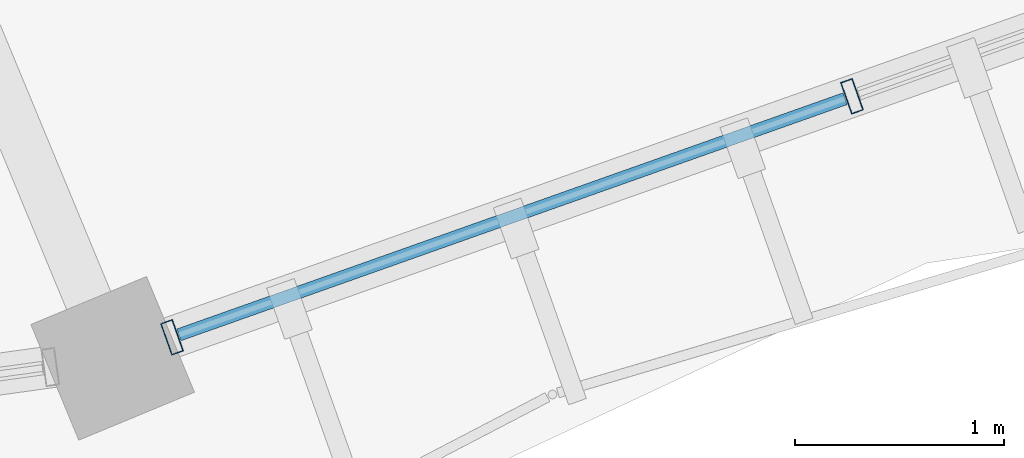
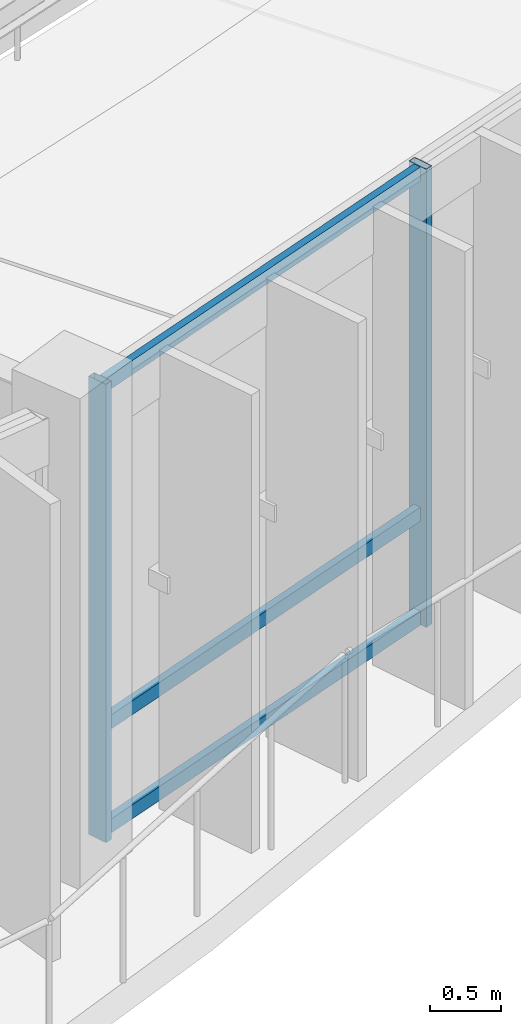
# One storey, part 12 of 83: 5 members, 1 element without a shape of its own.
"""IFC4 building model written with IfcOpenShell, lengths in metres."""

import ifcopenshell
import ifcopenshell.guid

model = None  # the IFC model being written
_history = None  # IfcOwnerHistory: only IFC2X3 demands one
_inside = {}  # id of a spatial element -> (the spatial element, [elements in it])
_under = {}  # id of a project, library or spatial element -> (it, [spatial elements below it])
_declared = {}  # id of a project -> (the project, [libraries it declares])
_typed = {}  # id of a type object -> (the type object, [elements of that type])
_made_of = {}  # id of a material, layer set ... -> (it, [elements and type objects made of it])


def new_model(schema):
    """Start an empty IFC model of exactly this schema.

    Asked for "IFC4X3", IfcOpenShell would pick the latest addendum, in which some entities
    have other attributes; the version numbers below select the first issue.
    IFC2X3 requires an IfcOwnerHistory on every rooted entity: one is made here for all.
    """
    global model, _history
    if schema == "IFC4X3":
        model = ifcopenshell.file(schema_version=(4, 3, 0, 0))
    else:
        model = ifcopenshell.file(schema=schema)
    _inside.clear()
    _under.clear()
    _declared.clear()
    _typed.clear()
    _made_of.clear()
    _history = None
    if model.schema == "IFC2X3":
        org = make("IfcOrganization", Name="unknown")
        user = make(
            "IfcPersonAndOrganization",
            ThePerson=make("IfcPerson", FamilyName="unknown"),
            TheOrganization=org,
        )
        app = make(
            "IfcApplication",
            ApplicationDeveloper=org,
            Version="unknown",
            ApplicationFullName="unknown",
            ApplicationIdentifier="unknown",
        )
        _history = make(
            "IfcOwnerHistory",
            OwningUser=user,
            OwningApplication=app,
            ChangeAction="ADDED",
            CreationDate=0,
        )
    return model


def make(cls, **values):
    """One entity of the class cls with the attributes given. An attribute that is None is left unset."""
    return model.create_entity(
        cls, **{name: value for name, value in values.items() if value is not None}
    )


def rooted(cls, **values):
    """An entity with a GlobalId (a new one), such as an element, a storey or a relation."""
    return make(cls, GlobalId=ifcopenshell.guid.new(), OwnerHistory=_history, **values)


def si_unit(unit_type, name, prefix=None):
    """IfcSIUnit, for example si_unit("LENGTHUNIT", "METRE", prefix="MILLI")."""
    return make("IfcSIUnit", UnitType=unit_type, Prefix=prefix, Name=name)


def assignment(units):
    """IfcUnitAssignment: the units of a project."""
    return None if units is None else make("IfcUnitAssignment", Units=units)


def point(xyz):
    """IfcCartesianPoint."""
    return None if xyz is None else make("IfcCartesianPoint", Coordinates=xyz)


def direction(xyz):
    """IfcDirection."""
    return None if xyz is None else make("IfcDirection", DirectionRatios=xyz)


def frame(location, z_axis=None, x_axis=None):
    """IfcAxis2Placement3D, a coordinate frame: its origin and axes. An axis left out is left unset."""
    return make(
        "IfcAxis2Placement3D",
        Location=point(location),
        Axis=direction(z_axis),
        RefDirection=direction(x_axis),
    )


def frame_2d(location, x_axis=None):
    """IfcAxis2Placement2D, a coordinate frame in the plane: its origin and x axis."""
    return make(
        "IfcAxis2Placement2D", Location=point(location), RefDirection=direction(x_axis)
    )


def origin():
    """The frame at (0, 0, 0) with its axes left unset."""
    return frame((0.0, 0.0, 0.0))


def origin_2d():
    """The frame at (0, 0) in the plane with its x axis left unset."""
    return frame_2d((0.0, 0.0))


def place(relative_to, where):
    """IfcLocalPlacement: puts the frame where relative to a parent placement (None: the world)."""
    return make(
        "IfcLocalPlacement", PlacementRelTo=relative_to, RelativePlacement=where
    )


def context(
    kind, dimensions, precision=None, world=None, true_north=None, identifier=None
):
    """IfcGeometricRepresentationContext, for example the 3D "Model" context."""
    return make(
        "IfcGeometricRepresentationContext",
        ContextIdentifier=identifier,
        ContextType=kind,
        CoordinateSpaceDimension=dimensions,
        Precision=precision,
        WorldCoordinateSystem=world,
        TrueNorth=true_north,
    )


def subcontext(parent, identifier, kind, view, scale=None):
    """IfcGeometricRepresentationSubContext, for example "Body" below "Model"."""
    return make(
        "IfcGeometricRepresentationSubContext",
        ContextIdentifier=identifier,
        ContextType=kind,
        ParentContext=parent,
        TargetScale=scale,
        TargetView=view,
    )


def project(units=None, contexts=None):
    """IfcProject with its units and contexts."""
    return rooted(
        "IfcProject",
        Name="project",
        RepresentationContexts=contexts,
        UnitsInContext=assignment(units),
    )


def spatial(cls, under=None, at=None, **own):
    """A site, building, storey or space (cls), placed at a placement, below another one or the project."""
    s = rooted(cls, ObjectPlacement=at, **own)
    if under is not None:
        _under.setdefault(under.id(), (under, []))[1].append(s)
    return s


def profile(cls, at=None, kind="AREA", **sizes):
    """A parametric profile (cls). Its sizes go by their IFC names, for example OverallWidth=200.0."""
    return make(cls, ProfileType=kind, Position=at, **sizes)


def hollow_rectangle(**sizes):
    """IfcRectangleHollowProfileDef."""
    return profile("IfcRectangleHollowProfileDef", **sizes)


def extrude(swept, where, along, depth):
    """IfcExtrudedAreaSolid: the profile swept, set in the frame where, extruded along a direction by depth."""
    return make(
        "IfcExtrudedAreaSolid",
        SweptArea=swept,
        Position=where,
        ExtrudedDirection=direction(along),
        Depth=depth,
    )


def shape(context_of_items, identifier, shape_type, items):
    """IfcShapeRepresentation: the items that make up one representation, for example the "Body"."""
    return make(
        "IfcShapeRepresentation",
        ContextOfItems=context_of_items,
        RepresentationIdentifier=identifier,
        RepresentationType=shape_type,
        Items=items,
    )


def material(Name=None, Category=None):
    """IfcMaterial."""
    return make("IfcMaterial", Name=Name, Category=Category)


def material_profile(
    of_material, cross_section, Name=None, Category=None, Priority=None
):
    """IfcMaterialProfile: a cross section and its material."""
    return make(
        "IfcMaterialProfile",
        Name=Name,
        Material=of_material,
        Profile=cross_section,
        Priority=Priority,
        Category=Category,
    )


def profile_set(profiles, Name=None, composite=None):
    """IfcMaterialProfileSet."""
    return make(
        "IfcMaterialProfileSet",
        Name=Name,
        MaterialProfiles=profiles,
        CompositeProfile=composite,
    )


def made_of(thing, what):
    """Note that an element or type object is made of a material, layer set ...; save() writes the relation."""
    if what is not None:
        _made_of.setdefault(what.id(), (what, []))[1].append(thing)
    return thing


def type_object(cls, material=None, **own):
    """A type object (cls), such as IfcWallType, which elements share."""
    return made_of(rooted(cls, **own), material)


def element(
    cls,
    number,
    at=None,
    inside=None,
    cuts=None,
    type_object=None,
    material=None,
    context=None,
    identifier="Body",
    shape_type=None,
    held_by="IfcProductDefinitionShape",
    body=None,
    shapes=None,
    **own,
):
    """One element of the class cls, such as IfcWall. Its Tag is "e" and its number.

    at: its placement. inside: the storey or other place that contains it. cuts: it is an
    opening in that element (IfcRelVoidsElement). A single representation is given by context,
    identifier, shape_type and body (its items); several are given by shapes. held_by: the class
    of the entity that holds the representations. save() writes the other relations.
    """
    e = rooted(cls, Tag="e%d" % number, ObjectPlacement=at, **own)
    if body is not None:
        shapes = [shape(context, identifier, shape_type, body)]
    if shapes is not None:
        e.Representation = make(held_by, Representations=shapes)
    if inside is not None:
        _inside.setdefault(inside.id(), (inside, []))[1].append(e)
    if cuts is not None:
        rooted(
            "IfcRelVoidsElement", RelatingBuildingElement=cuts, RelatedOpeningElement=e
        )
    if type_object is not None:
        _typed.setdefault(type_object.id(), (type_object, []))[1].append(e)
    return made_of(e, material)


def aggregate(whole, parts):
    """IfcRelAggregates: a whole, such as a stair, and the parts it consists of."""
    return rooted("IfcRelAggregates", RelatingObject=whole, RelatedObjects=parts)


def save(model, path):
    """Write the relations noted so far, then the file.

    IfcRelAggregates (storeys below a building ...), IfcRelContainedInSpatialStructure (elements
    in a storey), IfcRelDefinesByType, IfcRelAssociatesMaterial and IfcRelDeclares: one each for
    every whole, place, type object, material and project.
    """
    for whole, parts in _under.values():
        aggregate(whole, parts)
    for where, things in _inside.values():
        rooted(
            "IfcRelContainedInSpatialStructure",
            RelatedElements=things,
            RelatingStructure=where,
        )
    for kind, things in _typed.values():
        rooted("IfcRelDefinesByType", RelatedObjects=things, RelatingType=kind)
    for what, things in _made_of.values():
        rooted("IfcRelAssociatesMaterial", RelatedObjects=things, RelatingMaterial=what)
    for by, libraries in _declared.values():
        rooted("IfcRelDeclares", RelatingContext=by, RelatedDefinitions=libraries)
    model.write(path)


model = new_model("IFC4")

# Units and contexts
model_context = context("Model", 3, precision=1e-05, world=origin(), true_north=direction((0.0, 1.0)))
body_context = subcontext(model_context, "Body", "Model", "MODEL_VIEW")
ifc_project = project(units=[si_unit("LENGTHUNIT", "METRE"), si_unit("AREAUNIT", "SQUARE_METRE"), si_unit("VOLUMEUNIT", "CUBIC_METRE"), si_unit("PLANEANGLEUNIT", "RADIAN"), si_unit("MASSUNIT", "GRAM", prefix="KILO"), si_unit("THERMODYNAMICTEMPERATUREUNIT", "KELVIN"), si_unit("POWERUNIT", "WATT")], contexts=[model_context])

# Site, building, storey
site_placement = place(None, origin())
site = spatial("IfcSite", under=ifc_project, at=site_placement, CompositionType="ELEMENT")
building_placement = place(site_placement, origin())
building = spatial("IfcBuilding", under=site, at=building_placement, Name="Darbajah Civic Hall", CompositionType="ELEMENT")
storey_placement = place(building_placement, frame((0.0, 0.0, 18.0)))
storey = spatial("IfcBuildingStorey", under=building, at=storey_placement, Name="L04", CompositionType="ELEMENT", Elevation=18.0)

# Curtain wall, members
ifc_material_1 = material(Name="Anodised Bronze Aluminium and Low-E Glazing", Category="aluminium")
curtain_wall_type = type_object("IfcCurtainWallType", Name="Unitised Curtain Wall CW-62 13800x3900", PredefinedType="USERDEFINED", material=ifc_material_1)
curtain_wall_placement = place(storey_placement, origin())
curtain_wall = element("IfcCurtainWall", 1, at=curtain_wall_placement, inside=storey, type_object=curtain_wall_type, Name="L04 unitised curtain wall CW-V1O-L04-16", ObjectType="UNITISED CURTAIN WALL", PredefinedType="USERDEFINED")
ifc_material_2 = material(Name="Anodised Bronze Aluminium", Category="aluminium")
ifc_material_profile_1 = material_profile(ifc_material_2, hollow_rectangle(XDim=0.06005859375, YDim=0.159912109375, WallThickness=0.00341796875, at=origin_2d()), Name="ALU MULLION 60x160")
ifc_profile_set_1 = profile_set([ifc_material_profile_1], Name="Anodised Bronze Aluminium")
member_type_1 = type_object("IfcMemberType", Name="ALU MULLION 60x160", PredefinedType="MULLION", material=ifc_profile_set_1)
member_1_placement = place(storey_placement, frame((108.901611328125, 62.646484375, 0.0), z_axis=(0.0, 0.0, 1.0), x_axis=(0.94252491309, 0.334135882844, 0.0)))
member_1 = element("IfcMember", 2, at=member_1_placement, type_object=member_type_1, Name="CW-V1O-L04-16 mullion 1", PredefinedType="MULLION", context=body_context, shape_type="SweptSolid", body=[
    extrude(hollow_rectangle(XDim=0.06005859375, YDim=0.159912109375, WallThickness=0.00341796875, at=origin_2d()), origin(), (0.0, 0.0, 1.0), 3.919921875),
])
member_2_placement = place(storey_placement, frame((112.160400390625, 63.8017578125, 0.0), z_axis=(0.0, 0.0, 1.0), x_axis=(0.94252491309, 0.334135882844, 0.0)))
member_2 = element("IfcMember", 3, at=member_2_placement, type_object=member_type_1, Name="CW-V1O-L04-16 mullion 2", PredefinedType="MULLION", context=body_context, shape_type="SweptSolid", body=[
    extrude(hollow_rectangle(XDim=0.06005859375, YDim=0.159912109375, WallThickness=0.00341796875, at=origin_2d()), origin(), (0.0, 0.0, 1.0), 3.919921875),
])
ifc_material_profile_2 = material_profile(ifc_material_2, hollow_rectangle(XDim=0.06005859375, YDim=0.1201171875, WallThickness=0.003173828125, at=origin_2d()), Name="ALU TRANSOM 60x120")
ifc_profile_set_2 = profile_set([ifc_material_profile_2], Name="Anodised Bronze Aluminium")
member_type_2 = type_object("IfcMemberType", Name="ALU TRANSOM 60x120", PredefinedType="USERDEFINED", material=ifc_profile_set_2)
member_3_placement = place(storey_placement, frame((108.9345703125, 62.658203125, 0.06005859375), z_axis=(0.942531741804, 0.334116619896, 0.0), x_axis=(-0.334116619896, 0.942531741804, 0.0)))
member_3 = element("IfcMember", 4, at=member_3_placement, type_object=member_type_2, Name="CW-V1O-L04-16 transom 1.1", ObjectType="TRANSOM", PredefinedType="USERDEFINED", context=body_context, shape_type="SweptSolid", body=[
    extrude(hollow_rectangle(XDim=0.06005859375, YDim=0.1201171875, WallThickness=0.003173828125, at=origin_2d()), origin(), (0.0, 0.0, 1.0), 3.387451171875),
])
member_4_placement = place(storey_placement, frame((108.9345703125, 62.658203125, 0.949951171875), z_axis=(0.942531741804, 0.334116619896, 0.0), x_axis=(-0.334116619896, 0.942531741804, 0.0)))
member_4 = element("IfcMember", 5, at=member_4_placement, type_object=member_type_2, Name="CW-V1O-L04-16 transom 1.2", ObjectType="TRANSOM", PredefinedType="USERDEFINED", context=body_context, shape_type="SweptSolid", body=[
    extrude(hollow_rectangle(XDim=0.06005859375, YDim=0.1201171875, WallThickness=0.003173828125, at=origin_2d()), origin(), (0.0, 0.0, 1.0), 3.387451171875),
])
member_5_placement = place(storey_placement, frame((108.9345703125, 62.658203125, 3.860107421875), z_axis=(0.942531741804, 0.334116619896, 0.0), x_axis=(-0.334116619896, 0.942531741804, 0.0)))
member_5 = element("IfcMember", 6, at=member_5_placement, type_object=member_type_2, Name="CW-V1O-L04-16 transom 1.3", ObjectType="TRANSOM", PredefinedType="USERDEFINED", context=body_context, shape_type="SweptSolid", body=[
    extrude(hollow_rectangle(XDim=0.06005859375, YDim=0.1201171875, WallThickness=0.003173828125, at=origin_2d()), origin(), (0.0, 0.0, 1.0), 3.387451171875),
])
aggregate(curtain_wall, [member_1, member_2, member_3, member_4, member_5])

save(model, "model.ifc")
